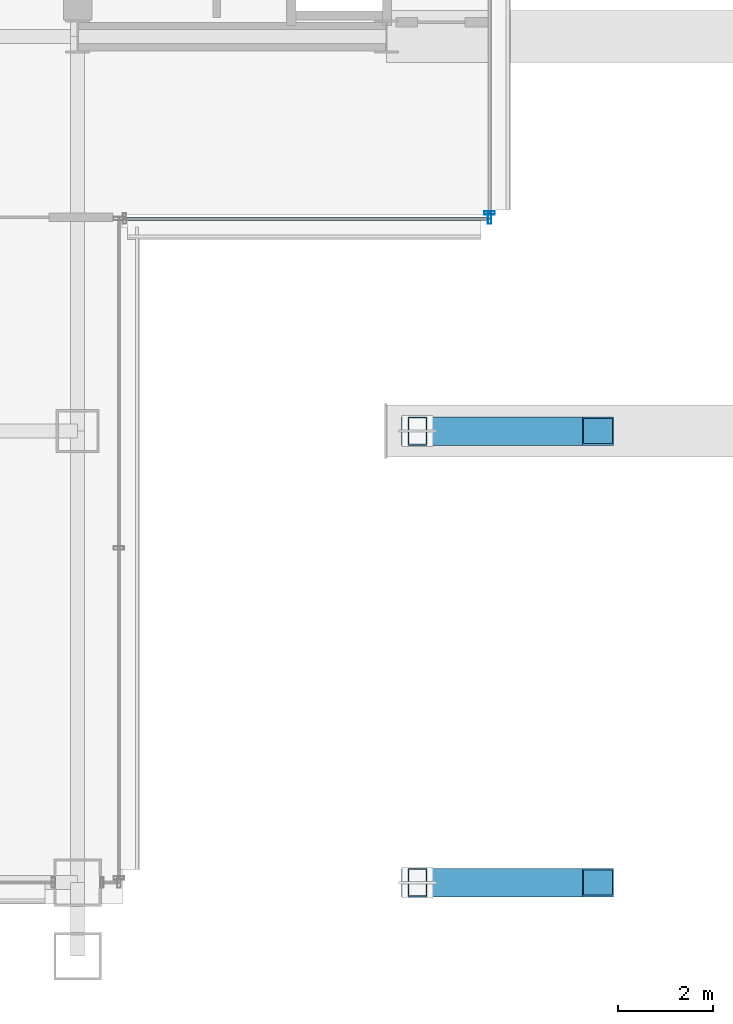
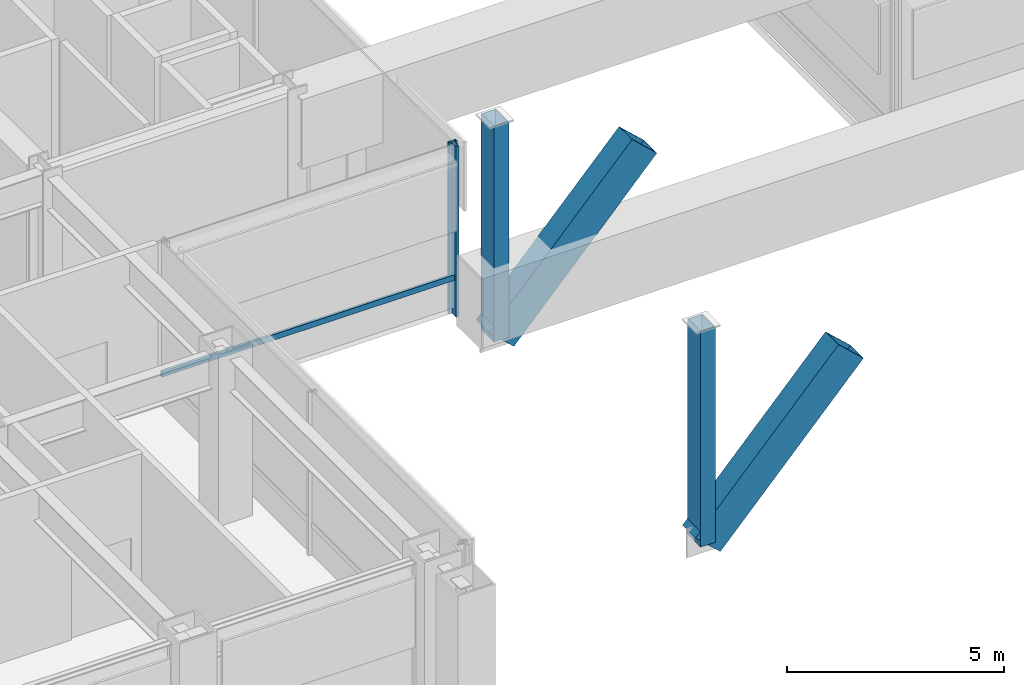
# One storey, part 4 of 42: 7 members, 2 elements without a shape of their own.
"""IFC4 building model written with IfcOpenShell, lengths in metres."""

from ifc_helpers import new_model, si_unit, direction, frame, origin, origin_2d, place, context, subcontext, project, spatial, hollow_rectangle, extrude, material, layer, layer_set, material_profile, profile_set, type_object, element, aggregate, save


model = new_model("IFC4")

# Units and contexts
model_context = context("Model", 3, precision=1e-05, world=origin(), true_north=direction((0.0, 1.0)))
body_context = subcontext(model_context, "Body", "Model", "MODEL_VIEW")
ifc_project = project(units=[si_unit("LENGTHUNIT", "METRE"), si_unit("AREAUNIT", "SQUARE_METRE"), si_unit("VOLUMEUNIT", "CUBIC_METRE"), si_unit("PLANEANGLEUNIT", "RADIAN"), si_unit("MASSUNIT", "GRAM", prefix="KILO")], contexts=[model_context])

# Site, building, storey
site_placement = place(None, origin())
site = spatial("IfcSite", under=ifc_project, at=site_placement, CompositionType="ELEMENT")
building_placement = place(site_placement, origin())
building = spatial("IfcBuilding", under=site, at=building_placement, Name="Brelmoor Portico Tower", CompositionType="ELEMENT")
storey_placement = place(building_placement, frame((0.0, 0.0, 9.60009765625)))
storey = spatial("IfcBuildingStorey", under=building, at=storey_placement, Name="L02", CompositionType="ELEMENT", Elevation=9.60009765625)

# Members
ifc_material_1 = material(Name="Steel Q420B", Category="steel")
ifc_material_profile_1 = material_profile(ifc_material_1, hollow_rectangle(XDim=0.60009765625, YDim=0.89990234375, WallThickness=0.035888671875, at=origin_2d()), Name="RHS 600x900x36")
ifc_profile_set_1 = profile_set([ifc_material_profile_1], Name="Steel Q420B")
member_type_1 = type_object("IfcMemberType", Name="MB-ARCH-RIB", PredefinedType="CHORD", material=ifc_profile_set_1)
for number, where, z_axis, x_axis, name in (
    (1, (-7.39990234375, -27.550048828125, 2.5), (0.679758934969, 0.0, 0.733435607487), (0.0, 1.0, 0.0), "Giant Portico Arch Rib S1-3"),
    (2, (-7.39990234375, -18.050048828125, 2.5), (0.679758934969, 0.0, 0.733435607487), (0.0, 1.0, 0.0), "Giant Portico Arch Rib S2-3"),
):
    element("IfcMember", number, at=place(storey_placement, frame(where, z_axis=z_axis, x_axis=x_axis)), inside=storey, type_object=member_type_1, Name=name, PredefinedType="CHORD", context=body_context, shape_type="SweptSolid", body=[
        extrude(hollow_rectangle(XDim=0.60009765625, YDim=0.89990234375, WallThickness=0.035888671875, at=origin_2d()), origin(), (0.0, 0.0, 1.0), 5.58984375),
    ])
ifc_material_2 = material(Name="Steel Q355B", Category="steel")
ifc_material_profile_2 = material_profile(ifc_material_2, hollow_rectangle(XDim=0.39990234375, YDim=0.60009765625, WallThickness=0.02392578125, at=origin_2d()), Name="RHS 400x600x24")
ifc_profile_set_2 = profile_set([ifc_material_profile_2], Name="Steel Q355B")
member_type_2 = type_object("IfcMemberType", Name="MB-ARCH-STRUT", PredefinedType="BRACE", material=ifc_profile_set_2)
for number, where, z_axis, x_axis, name in (
    (3, (-7.39990234375, -27.550048828125, 2.5), (0.0, 0.0, 1.0), (1.0, 0.0, 0.0), "Portico Arch Spandrel Strut S1-2"),
    (4, (-7.39990234375, -18.050048828125, 2.5), (0.0, 0.0, 1.0), (1.0, 0.0, 0.0), "Portico Arch Spandrel Strut S2-2"),
):
    element("IfcMember", number, at=place(storey_placement, frame(where, z_axis=z_axis, x_axis=x_axis)), inside=storey, type_object=member_type_2, Name=name, PredefinedType="BRACE", context=body_context, shape_type="SweptSolid", body=[
        extrude(hollow_rectangle(XDim=0.39990234375, YDim=0.60009765625, WallThickness=0.02392578125, at=origin_2d()), origin(), (0.0, 0.0, 1.0), 6.054931640625),
    ])

# Curtain wall, member
ifc_material_3 = material(Name="Anodised Aluminium Alloy 6063-T6", Category="aluminium")
ifc_layer = layer(ifc_material_3, 0.179931640625)
ifc_layer_set = layer_set([ifc_layer], Name="Anodised Aluminium Alloy 6063-T6")
curtain_wall_type = type_object("IfcCurtainWallType", Name="CW-PODIUM-ARCH", PredefinedType="NOTDEFINED", material=ifc_layer_set)
curtain_wall_1_placement = place(storey_placement, origin())
curtain_wall_1 = element("IfcCurtainWall", 5, at=curtain_wall_1_placement, inside=storey, type_object=curtain_wall_type, Name="L02 Curtain Wall CW-L02-11", PredefinedType="NOTDEFINED")
ifc_material_profile_3 = material_profile(ifc_material_3, hollow_rectangle(XDim=0.074951171875, YDim=0.219970703125, WallThickness=0.0048828125, at=origin_2d()), Name="ALU MULLION 75x220")
ifc_profile_set_3 = profile_set([ifc_material_profile_3], Name="Anodised Aluminium Alloy 6063-T6")
member_type_3 = type_object("IfcMemberType", Name="MB-CW-MULL-220", PredefinedType="MULLION", material=ifc_profile_set_3)
member_1_placement = place(storey_placement, frame((-5.8798828125, -13.580078125, -0.22021484375), z_axis=(0.0, 0.0, 1.0), x_axis=(1.0, 0.0, 0.0)))
member_1 = element("IfcMember", 6, at=member_1_placement, type_object=member_type_3, Name="CW-L02-11 Mullion 01", PredefinedType="MULLION", context=body_context, shape_type="SweptSolid", body=[
    extrude(hollow_rectangle(XDim=0.074951171875, YDim=0.219970703125, WallThickness=0.0048828125, at=origin_2d()), origin(), (0.0, 0.0, 1.0), 4.800048828125),
])

curtain_wall_2_placement = place(storey_placement, origin())
curtain_wall_2 = element("IfcCurtainWall", 7, at=curtain_wall_2_placement, inside=storey, type_object=curtain_wall_type, Name="L02 Curtain Wall CW-L02-15", PredefinedType="NOTDEFINED")
member_2_placement = place(storey_placement, frame((-5.8798828125, -13.4599609375, -0.22021484375), z_axis=(0.0, 0.0, 1.0), x_axis=(0.0, 1.0, 0.0)))
member_2 = element("IfcMember", 8, at=member_2_placement, type_object=member_type_3, Name="CW-L02-15 Mullion 00", PredefinedType="MULLION", context=body_context, shape_type="SweptSolid", body=[
    extrude(hollow_rectangle(XDim=0.074951171875, YDim=0.219970703125, WallThickness=0.0048828125, at=origin_2d()), origin(), (0.0, 0.0, 1.0), 4.800048828125),
])
aggregate(curtain_wall_2, [member_2])

# Member
ifc_material_profile_4 = material_profile(ifc_material_3, hollow_rectangle(XDim=0.070068359375, YDim=0.159912109375, WallThickness=0.00390625, at=origin_2d()), Name="ALU TRANSOM 70x160")
ifc_profile_set_4 = profile_set([ifc_material_profile_4], Name="Anodised Aluminium Alloy 6063-T6")
member_type_4 = type_object("IfcMemberType", Name="MB-CW-TRAN-160", PredefinedType="USERDEFINED", material=ifc_profile_set_4)
member_3_placement = place(storey_placement, frame((-13.679931640625, -13.580078125, 0.849853515625), z_axis=(1.0, 0.0, 0.0), x_axis=(0.0, 1.0, 0.0)))
member_3 = element("IfcMember", 9, at=member_3_placement, type_object=member_type_4, Name="CW-L02-11 Transom 1-00", ObjectType="TRANSOM", PredefinedType="USERDEFINED", context=body_context, shape_type="SweptSolid", body=[
    extrude(hollow_rectangle(XDim=0.070068359375, YDim=0.159912109375, WallThickness=0.00390625, at=origin_2d()), origin(), (0.0, 0.0, 1.0), 7.800048828125),
])

aggregate(curtain_wall_1, [member_1, member_3])

save(model, "model.ifc")
